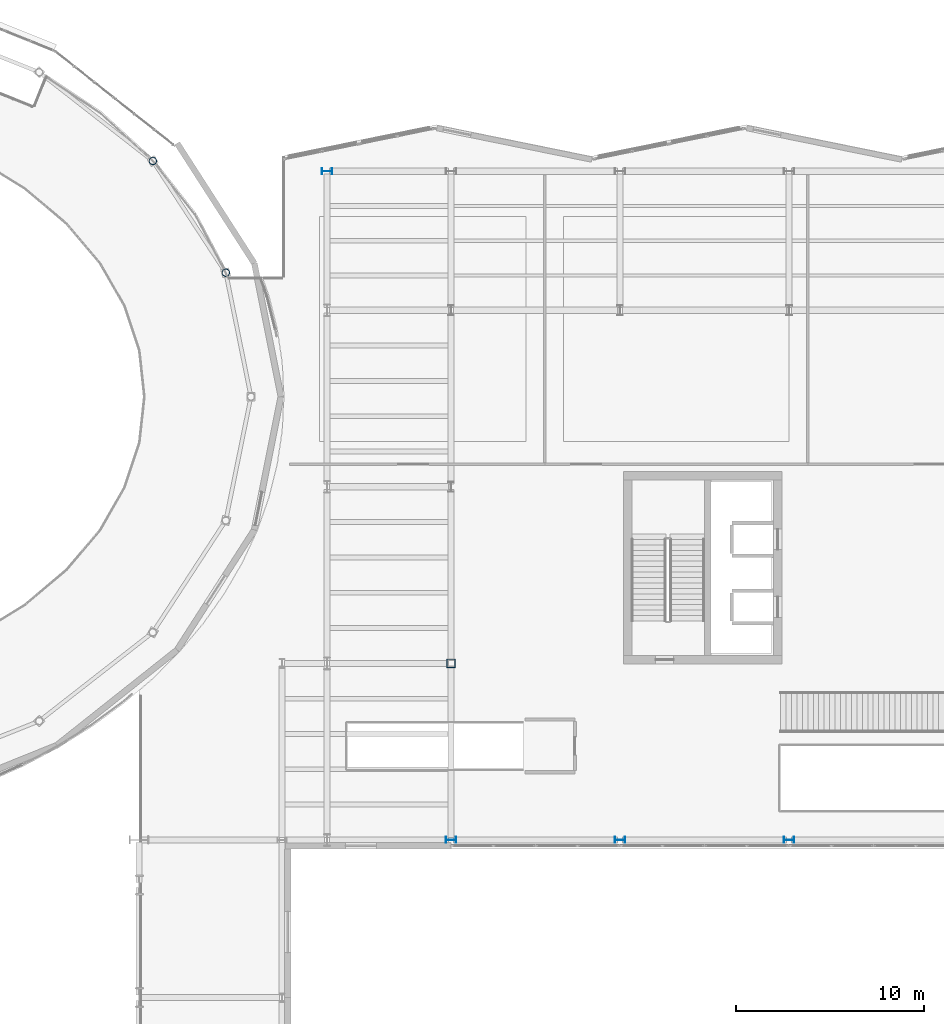
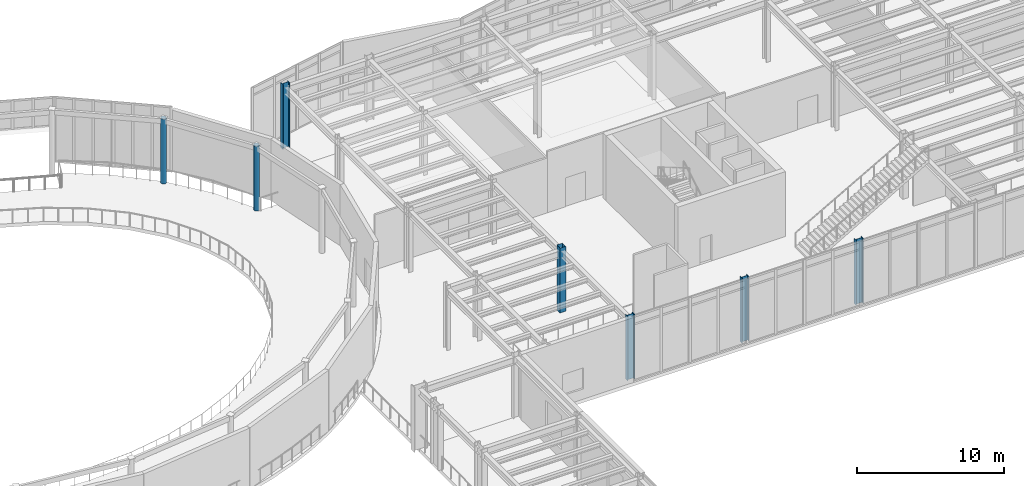
# One storey, part 10 of 98: 7 columns.
"""IFC4 building model written with IfcOpenShell, lengths in metres."""

from ifc_helpers import new_model, si_unit, direction, frame, origin, origin_2d, place, context, subcontext, project, spatial, hollow_rectangle, hollow_circle, i_section, extrude, material, material_profile, profile_set, type_object, element, save


model = new_model("IFC4")

# Units and contexts
model_context = context("Model", 3, precision=1e-05, world=origin(), true_north=direction((0.0, 1.0)))
body_context = subcontext(model_context, "Body", "Model", "MODEL_VIEW")
ifc_project = project(units=[si_unit("LENGTHUNIT", "METRE"), si_unit("AREAUNIT", "SQUARE_METRE"), si_unit("VOLUMEUNIT", "CUBIC_METRE"), si_unit("PLANEANGLEUNIT", "RADIAN"), si_unit("MASSUNIT", "GRAM", prefix="KILO")], contexts=[model_context])

# Site, building, storey
site_placement = place(None, origin())
site = spatial("IfcSite", under=ifc_project, at=site_placement, CompositionType="ELEMENT")
building_placement = place(site_placement, origin())
building = spatial("IfcBuilding", under=site, at=building_placement, Name="Sollismere Congress Hotel", CompositionType="ELEMENT")
storey_placement = place(building_placement, frame((0.0, 0.0, 5.39990234375)))
storey = spatial("IfcBuildingStorey", under=building, at=storey_placement, Name="L01", CompositionType="ELEMENT", Elevation=5.39990234375)

# Columns
ifc_material_1 = material(Name="Steel ASTM A500 Grade C", Category="steel")
ifc_material_profile_1 = material_profile(ifc_material_1, hollow_circle(Radius=0.202880859375, WallThickness=0.01611328125, at=origin_2d()), Name="CHS406X16")
ifc_profile_set_1 = profile_set([ifc_material_profile_1], Name="Steel ASTM A500 Grade C")
column_type_1 = type_object("IfcColumnType", Name="COL-CHS406I", PredefinedType="COLUMN", material=ifc_profile_set_1)
for number, where, z_axis, x_axis, name in (
    (1, (55.011474609375, 96.99755859375, 0.0), (0.0, 0.0, 1.0), (0.969316774365, 0.245814952628, 0.0), "Column CL-L01-1153"),
    (2, (51.126708984375, 102.94921875, 0.0), (0.0, 0.0, 1.0), (0.869839554062, 0.493334724289, 0.0), "Column CL-L01-1157"),
):
    element("IfcColumn", number, at=place(storey_placement, frame(where, z_axis=z_axis, x_axis=x_axis)), inside=storey, type_object=column_type_1, Name=name, PredefinedType="COLUMN", context=body_context, shape_type="SweptSolid", body=[
        extrude(hollow_circle(Radius=0.202880859375, WallThickness=0.01611328125, at=origin_2d()), origin(), (0.0, 0.0, 1.0), 5.400146484375),
    ])
ifc_material_profile_2 = material_profile(ifc_material_1, hollow_rectangle(XDim=0.449951171875, YDim=0.449951171875, WallThickness=0.01611328125, at=origin_2d()), Name="HSS450X450X16")
ifc_profile_set_2 = profile_set([ifc_material_profile_2], Name="Steel ASTM A500 Grade C")
column_type_2 = type_object("IfcColumnType", Name="COL-HSS450I", PredefinedType="COLUMN", material=ifc_profile_set_2)
column_placement = place(storey_placement, frame((67.0, 76.199951171875, 0.0), z_axis=(0.0, 0.0, 1.0), x_axis=(1.0, 0.0, 0.0)))
element("IfcColumn", 3, at=column_placement, inside=storey, type_object=column_type_2, Name="Column CL-L01-322", PredefinedType="COLUMN", context=body_context, shape_type="SweptSolid", body=[
    extrude(hollow_rectangle(XDim=0.449951171875, YDim=0.449951171875, WallThickness=0.01611328125, at=origin_2d()), origin(), (0.0, 0.0, 1.0), 5.400146484375),
])
ifc_material_2 = material(Name="Steel ASTM A992 Grade 50", Category="steel")
ifc_material_profile_3 = material_profile(ifc_material_2, i_section(OverallWidth=0.31494140625, OverallDepth=0.551025390625, WebThickness=0.01513671875, FlangeThickness=0.0244140625, at=origin_2d()), Name="W21X122")
ifc_profile_set_3 = profile_set([ifc_material_profile_3], Name="Steel ASTM A992 Grade 50")
column_type_3 = type_object("IfcColumnType", Name="COL-W21", PredefinedType="COLUMN", material=ifc_profile_set_3)
for number, where, z_axis, x_axis, name in (
    (4, (67.0, 66.800048828125, 0.0), (0.0, 0.0, 1.0), (0.0, 1.0, 0.0), "Column CL-L01-316"),
    (5, (76.0, 66.800048828125, 0.0), (0.0, 0.0, 1.0), (0.0, 1.0, 0.0), "Column CL-L01-380"),
    (6, (85.0, 66.800048828125, 0.0), (0.0, 0.0, 1.0), (0.0, 1.0, 0.0), "Column CL-L01-439"),
    (7, (60.39990234375, 102.39990234375, 0.0), (0.0, 0.0, 1.0), (0.0, 1.0, 0.0), "Column CL-L01-1083"),
):
    element("IfcColumn", number, at=place(storey_placement, frame(where, z_axis=z_axis, x_axis=x_axis)), inside=storey, type_object=column_type_3, Name=name, PredefinedType="COLUMN", context=body_context, shape_type="SweptSolid", body=[
        extrude(i_section(OverallWidth=0.31494140625, OverallDepth=0.551025390625, WebThickness=0.01513671875, FlangeThickness=0.0244140625, at=origin_2d()), origin(), (0.0, 0.0, 1.0), 5.400146484375),
    ])

save(model, "model.ifc")
